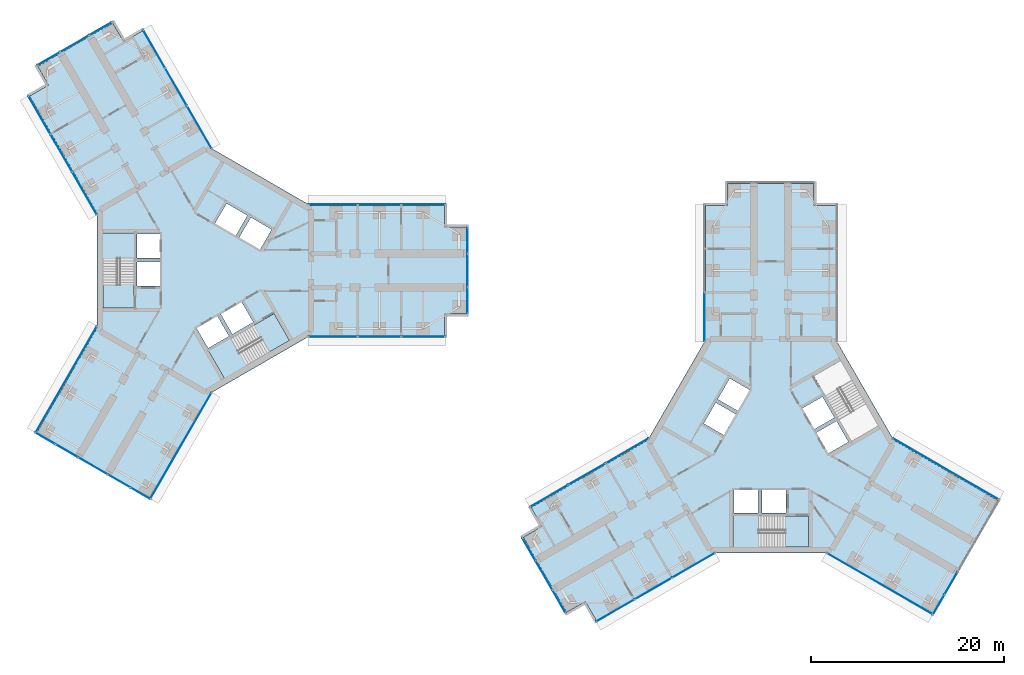
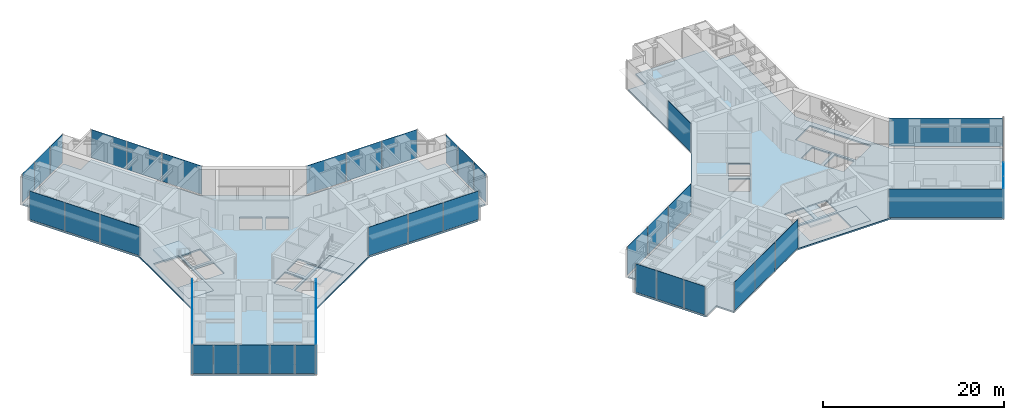
# One storey, part 13 of 21: 39 plates, 8 slabs, 19 elements without a shape of their own.
"""IFC4 building model written with IfcOpenShell, lengths in metres."""

from ifc_helpers import new_model, si_unit, direction, frame, origin, origin_2d, place, context, subcontext, project, spatial, polyline, rectangle, outline, extrude, material, layer, layer_set, type_object, element, aggregate, save


model = new_model("IFC4")

# Units and contexts
model_context = context("Model", 3, precision=1e-05, world=origin(), true_north=direction((0.0, 1.0)))
body_context = subcontext(model_context, "Body", "Model", "MODEL_VIEW")
ifc_project = project(units=[si_unit("LENGTHUNIT", "METRE"), si_unit("AREAUNIT", "SQUARE_METRE"), si_unit("VOLUMEUNIT", "CUBIC_METRE"), si_unit("PLANEANGLEUNIT", "RADIAN"), si_unit("MASSUNIT", "GRAM", prefix="KILO")], contexts=[model_context])

# Site, building, storey
site_placement = place(None, origin())
site = spatial("IfcSite", under=ifc_project, at=site_placement, CompositionType="ELEMENT")
building_placement = place(site_placement, origin())
building = spatial("IfcBuilding", under=site, at=building_placement, Name="Upepo Twin Towers", CompositionType="ELEMENT")
storey_placement = place(building_placement, frame((0.0, 0.0, 117.5)))
storey = spatial("IfcBuildingStorey", under=building, at=storey_placement, Name="L28", CompositionType="ELEMENT", Elevation=117.5)

# Curtain wall, plates
ifc_material_1 = material(Name="Aluminium and fritted glass", Category="aluminium")
curtain_wall_type = type_object("IfcCurtainWallType", Name="Tower curtain wall TW2, fritted glass", PredefinedType="NOTDEFINED", material=ifc_material_1)
curtain_wall_1_placement = place(storey_placement, origin())
curtain_wall_1 = element("IfcCurtainWall", 1, at=curtain_wall_1_placement, inside=storey, type_object=curtain_wall_type, Name="T1 L28 wing A flank L curtain wall", PredefinedType="NOTDEFINED")
ifc_material_2 = material(Name="Ceramic-fritted laminated glass", Category="glass")
ifc_layer_1 = layer(ifc_material_2, 0.031982421875)
ifc_layer_set_1 = layer_set([ifc_layer_1], Name="Fritted glass panel, 35 per cent dot frit, 32 mm double glazed")
plate_type_1 = type_object("IfcPlateType", Name="Fritted glass panel, 35 per cent dot frit, 32 mm double glazed", PredefinedType="CURTAIN_PANEL", material=ifc_layer_set_1)
plate_1_placement = place(storey_placement, frame((13.184814453125, 6.85009765625, 0.14990234375), z_axis=(0.0, 0.0, 1.0), x_axis=(1.0, 0.0, 0.0)))
plate_1 = element("IfcPlate", 2, at=plate_1_placement, type_object=plate_type_1, Name="T1 L28 wing A flank L curtain wall panel 1", PredefinedType="CURTAIN_PANEL", context=body_context, shape_type="SweptSolid", body=[
    extrude(rectangle(XDim=5.0654296875, YDim=0.031982421875, at=origin_2d()), origin(), (0.0, 0.0, 1.0), 3.85009765625),
])
plate_2_placement = place(storey_placement, frame((18.0, 6.85009765625, 0.14990234375), z_axis=(0.0, 0.0, 1.0), x_axis=(1.0, 0.0, 0.0)))
plate_2 = element("IfcPlate", 3, at=plate_2_placement, type_object=plate_type_1, Name="T1 L28 wing A flank L curtain wall panel 2", PredefinedType="CURTAIN_PANEL", context=body_context, shape_type="SweptSolid", body=[
    extrude(rectangle(XDim=4.43505859375, YDim=0.031982421875, at=origin_2d()), origin(), (0.0, 0.0, 1.0), 3.85009765625),
])
plate_3_placement = place(storey_placement, frame((22.53369140625, 6.85009765625, 0.14990234375), z_axis=(0.0, 0.0, 1.0), x_axis=(1.0, 0.0, 0.0)))
plate_3 = element("IfcPlate", 4, at=plate_3_placement, type_object=plate_type_1, Name="T1 L28 wing A flank L curtain wall panel 3", PredefinedType="CURTAIN_PANEL", context=body_context, shape_type="SweptSolid", body=[
    extrude(rectangle(XDim=4.50244140625, YDim=0.031982421875, at=origin_2d()), origin(), (0.0, 0.0, 1.0), 3.85009765625),
])
aggregate(curtain_wall_1, [plate_1, plate_2, plate_3])

curtain_wall_2_placement = place(storey_placement, origin())
curtain_wall_2 = element("IfcCurtainWall", 5, at=curtain_wall_2_placement, inside=storey, type_object=curtain_wall_type, Name="T1 L28 wing A flank R curtain wall", PredefinedType="NOTDEFINED")
plate_4_placement = place(storey_placement, frame((22.53369140625, -6.85009765625, 0.14990234375), z_axis=(0.0, 0.0, 1.0), x_axis=(-1.0, 0.0, 0.0)))
plate_4 = element("IfcPlate", 6, at=plate_4_placement, type_object=plate_type_1, Name="T1 L28 wing A flank R curtain wall panel 1", PredefinedType="CURTAIN_PANEL", context=body_context, shape_type="SweptSolid", body=[
    extrude(rectangle(XDim=4.50244140625, YDim=0.031982421875, at=origin_2d()), origin(), (0.0, 0.0, 1.0), 3.85009765625),
])
plate_5_placement = place(storey_placement, frame((18.0, -6.85009765625, 0.14990234375), z_axis=(0.0, 0.0, 1.0), x_axis=(-1.0, 0.0, 0.0)))
plate_5 = element("IfcPlate", 7, at=plate_5_placement, type_object=plate_type_1, Name="T1 L28 wing A flank R curtain wall panel 2", PredefinedType="CURTAIN_PANEL", context=body_context, shape_type="SweptSolid", body=[
    extrude(rectangle(XDim=4.43505859375, YDim=0.031982421875, at=origin_2d()), origin(), (0.0, 0.0, 1.0), 3.85009765625),
])
plate_6_placement = place(storey_placement, frame((13.184814453125, -6.85009765625, 0.14990234375), z_axis=(0.0, 0.0, 1.0), x_axis=(-1.0, 0.0, 0.0)))
plate_6 = element("IfcPlate", 8, at=plate_6_placement, type_object=plate_type_1, Name="T1 L28 wing A flank R curtain wall panel 3", PredefinedType="CURTAIN_PANEL", context=body_context, shape_type="SweptSolid", body=[
    extrude(rectangle(XDim=5.0654296875, YDim=0.031982421875, at=origin_2d()), origin(), (0.0, 0.0, 1.0), 3.85009765625),
])
aggregate(curtain_wall_2, [plate_4, plate_5, plate_6])

# Curtain wall, plate
curtain_wall_3_placement = place(storey_placement, origin())
curtain_wall_3 = element("IfcCurtainWall", 9, at=curtain_wall_3_placement, inside=storey, type_object=curtain_wall_type, Name="T1 L28 wing A nose curtain wall", PredefinedType="NOTDEFINED")
plate_7_placement = place(storey_placement, frame((27.10009765625, 0.0, 0.14990234375), z_axis=(0.0, 0.0, 1.0), x_axis=(0.0, 1.0, 0.0)))
plate_7 = element("IfcPlate", 10, at=plate_7_placement, type_object=plate_type_1, Name="T1 L28 wing A nose curtain wall panel 2", PredefinedType="CURTAIN_PANEL", context=body_context, shape_type="SweptSolid", body=[
    extrude(rectangle(XDim=3.43505859375, YDim=0.031982421875, at=origin_2d()), origin(), (0.0, 0.0, 1.0), 3.85009765625),
])

# Curtain wall, plates
curtain_wall_4_placement = place(storey_placement, origin())
curtain_wall_4 = element("IfcCurtainWall", 11, at=curtain_wall_4_placement, inside=storey, type_object=curtain_wall_type, Name="T1 L28 wing B flank L curtain wall", PredefinedType="NOTDEFINED")
plate_8_placement = place(storey_placement, frame((-12.524658203125, 7.993408203125, 0.14990234375), z_axis=(0.0, 0.0, 1.0), x_axis=(-0.500000010308, 0.866025397833, 0.0)))
plate_8 = element("IfcPlate", 12, at=plate_8_placement, type_object=plate_type_1, Name="T1 L28 wing B flank L curtain wall panel 1", PredefinedType="CURTAIN_PANEL", context=body_context, shape_type="SweptSolid", body=[
    extrude(rectangle(XDim=5.0654296875, YDim=0.031982421875, at=origin_2d()), origin(), (0.0, 0.0, 1.0), 3.85009765625),
])
plate_9_placement = place(storey_placement, frame((-14.932373046875, 12.16357421875, 0.14990234375), z_axis=(0.0, 0.0, 1.0), x_axis=(-0.500000010308, 0.866025397833, 0.0)))
plate_9 = element("IfcPlate", 13, at=plate_9_placement, type_object=plate_type_1, Name="T1 L28 wing B flank L curtain wall panel 2", PredefinedType="CURTAIN_PANEL", context=body_context, shape_type="SweptSolid", body=[
    extrude(rectangle(XDim=4.43505859375, YDim=0.031982421875, at=origin_2d()), origin(), (0.0, 0.0, 1.0), 3.85009765625),
])
plate_10_placement = place(storey_placement, frame((-17.19921875, 16.08984375, 0.14990234375), z_axis=(0.0, 0.0, 1.0), x_axis=(-0.500000010308, 0.866025397833, 0.0)))
plate_10 = element("IfcPlate", 14, at=plate_10_placement, type_object=plate_type_1, Name="T1 L28 wing B flank L curtain wall panel 3", PredefinedType="CURTAIN_PANEL", context=body_context, shape_type="SweptSolid", body=[
    extrude(rectangle(XDim=4.50244140625, YDim=0.031982421875, at=origin_2d()), origin(), (0.0, 0.0, 1.0), 3.85009765625),
])
aggregate(curtain_wall_4, [plate_8, plate_9, plate_10])

curtain_wall_5_placement = place(storey_placement, origin())
curtain_wall_5 = element("IfcCurtainWall", 15, at=curtain_wall_5_placement, inside=storey, type_object=curtain_wall_type, Name="T1 L28 wing B flank R curtain wall", PredefinedType="NOTDEFINED")
plate_11_placement = place(storey_placement, frame((-5.334716796875, 22.939697265625, 0.14990234375), z_axis=(0.0, 0.0, 1.0), x_axis=(0.500000010308, -0.866025397833, 0.0)))
plate_11 = element("IfcPlate", 16, at=plate_11_placement, type_object=plate_type_1, Name="T1 L28 wing B flank R curtain wall panel 1", PredefinedType="CURTAIN_PANEL", context=body_context, shape_type="SweptSolid", body=[
    extrude(rectangle(XDim=4.50244140625, YDim=0.031982421875, at=origin_2d()), origin(), (0.0, 0.0, 1.0), 3.85009765625),
])
plate_12_placement = place(storey_placement, frame((-3.067626953125, 19.013427734375, 0.14990234375), z_axis=(0.0, 0.0, 1.0), x_axis=(0.500000010308, -0.866025397833, 0.0)))
plate_12 = element("IfcPlate", 17, at=plate_12_placement, type_object=plate_type_1, Name="T1 L28 wing B flank R curtain wall panel 2", PredefinedType="CURTAIN_PANEL", context=body_context, shape_type="SweptSolid", body=[
    extrude(rectangle(XDim=4.43505859375, YDim=0.031982421875, at=origin_2d()), origin(), (0.0, 0.0, 1.0), 3.85009765625),
])
plate_13_placement = place(storey_placement, frame((-0.66015625, 14.84326171875, 0.14990234375), z_axis=(0.0, 0.0, 1.0), x_axis=(0.500000010308, -0.866025397833, 0.0)))
plate_13 = element("IfcPlate", 18, at=plate_13_placement, type_object=plate_type_1, Name="T1 L28 wing B flank R curtain wall panel 3", PredefinedType="CURTAIN_PANEL", context=body_context, shape_type="SweptSolid", body=[
    extrude(rectangle(XDim=5.0654296875, YDim=0.031982421875, at=origin_2d()), origin(), (0.0, 0.0, 1.0), 3.85009765625),
])
aggregate(curtain_wall_5, [plate_11, plate_12, plate_13])

# Curtain wall, plate
curtain_wall_6_placement = place(storey_placement, origin())
curtain_wall_6 = element("IfcCurtainWall", 19, at=curtain_wall_6_placement, inside=storey, type_object=curtain_wall_type, Name="T1 L28 wing B nose curtain wall", PredefinedType="NOTDEFINED")
plate_14_placement = place(storey_placement, frame((-13.550048828125, 23.46923828125, 0.14990234375), z_axis=(0.0, 0.0, 1.0), x_axis=(-0.866025386174, -0.500000030502, 0.0)))
plate_14 = element("IfcPlate", 20, at=plate_14_placement, type_object=plate_type_1, Name="T1 L28 wing B nose curtain wall panel 2", PredefinedType="CURTAIN_PANEL", context=body_context, shape_type="SweptSolid", body=[
    extrude(rectangle(XDim=3.43505859375, YDim=0.031982421875, at=origin_2d()), origin(), (0.0, 0.0, 1.0), 3.85009765625),
])

curtain_wall_7_placement = place(storey_placement, origin())
curtain_wall_7 = element("IfcCurtainWall", 21, at=curtain_wall_7_placement, inside=storey, type_object=curtain_wall_type, Name="T1 L28 wing C flank L curtain wall", PredefinedType="NOTDEFINED")
plate_15_placement = place(storey_placement, frame((-2.552001953125, -18.1201171875, 0.14990234375), z_axis=(0.0, 0.0, 1.0), x_axis=(-0.50000000792, -0.866025399212, 0.0)))
plate_15 = element("IfcPlate", 22, at=plate_15_placement, type_object=plate_type_1, Name="T1 L28 wing C flank L curtain wall panel 1", PredefinedType="CURTAIN_PANEL", context=body_context, shape_type="SweptSolid", body=[
    extrude(rectangle(XDim=12.6328125, YDim=0.031982421875, at=origin_2d()), origin(), (0.0, 0.0, 1.0), 3.85009765625),
])
aggregate(curtain_wall_7, [plate_15])

curtain_wall_8_placement = place(storey_placement, origin())
curtain_wall_8 = element("IfcCurtainWall", 23, at=curtain_wall_8_placement, inside=storey, type_object=curtain_wall_type, Name="T1 L28 wing C flank R curtain wall", PredefinedType="NOTDEFINED")
plate_16_placement = place(storey_placement, frame((-14.41650390625, -11.270263671875, 0.14990234375), z_axis=(0.0, 0.0, 1.0), x_axis=(0.50000000792, 0.866025399212, 0.0)))
plate_16 = element("IfcPlate", 24, at=plate_16_placement, type_object=plate_type_1, Name="T1 L28 wing C flank R curtain wall panel 1", PredefinedType="CURTAIN_PANEL", context=body_context, shape_type="SweptSolid", body=[
    extrude(rectangle(XDim=12.6328125, YDim=0.031982421875, at=origin_2d()), origin(), (0.0, 0.0, 1.0), 3.85009765625),
])
aggregate(curtain_wall_8, [plate_16])

# Curtain wall, plates
curtain_wall_9_placement = place(storey_placement, origin())
curtain_wall_9 = element("IfcCurtainWall", 25, at=curtain_wall_9_placement, inside=storey, type_object=curtain_wall_type, Name="T1 L28 wing C nose curtain wall", PredefinedType="NOTDEFINED")
plate_17_placement = place(storey_placement, frame((-14.38134765625, -18.6591796875, 0.14990234375), z_axis=(0.0, 0.0, 1.0), x_axis=(0.866025419745, -0.499999972355, 0.0)))
plate_17 = element("IfcPlate", 26, at=plate_17_placement, type_object=plate_type_1, Name="T1 L28 wing C nose curtain wall panel 2", PredefinedType="CURTAIN_PANEL", context=body_context, shape_type="SweptSolid", body=[
    extrude(rectangle(XDim=2.68505859375, YDim=0.031982421875, at=origin_2d()), origin(), (0.0, 0.0, 1.0), 3.85009765625),
])
plate_18_placement = place(storey_placement, frame((-11.675048828125, -20.2216796875, 0.14990234375), z_axis=(0.0, 0.0, 1.0), x_axis=(0.866025419745, -0.499999972355, 0.0)))
plate_18 = element("IfcPlate", 27, at=plate_18_placement, type_object=plate_type_1, Name="T1 L28 wing C nose curtain wall panel 3", PredefinedType="CURTAIN_PANEL", context=body_context, shape_type="SweptSolid", body=[
    extrude(rectangle(XDim=3.43505859375, YDim=0.031982421875, at=origin_2d()), origin(), (0.0, 0.0, 1.0), 3.85009765625),
])
plate_19_placement = place(storey_placement, frame((-8.96875, -21.7841796875, 0.14990234375), z_axis=(0.0, 0.0, 1.0), x_axis=(0.866025419745, -0.499999972355, 0.0)))
plate_19 = element("IfcPlate", 28, at=plate_19_placement, type_object=plate_type_1, Name="T1 L28 wing C nose curtain wall panel 4", PredefinedType="CURTAIN_PANEL", context=body_context, shape_type="SweptSolid", body=[
    extrude(rectangle(XDim=2.68505859375, YDim=0.031982421875, at=origin_2d()), origin(), (0.0, 0.0, 1.0), 3.85009765625),
])

# Curtain wall, plate
curtain_wall_10_placement = place(storey_placement, origin())
curtain_wall_10 = element("IfcCurtainWall", 29, at=curtain_wall_10_placement, inside=storey, type_object=curtain_wall_type, Name="T2 L28 wing A flank L curtain wall", PredefinedType="NOTDEFINED")
plate_20_placement = place(storey_placement, frame((51.64990234375, -4.815185546875, 0.14990234375), z_axis=(0.0, 0.0, 1.0), x_axis=(0.0, 1.0, 0.0)))
plate_20 = element("IfcPlate", 30, at=plate_20_placement, type_object=plate_type_1, Name="T2 L28 wing A flank L curtain wall panel 1", PredefinedType="CURTAIN_PANEL", context=body_context, shape_type="SweptSolid", body=[
    extrude(rectangle(XDim=5.0654296875, YDim=0.031982421875, at=origin_2d()), origin(), (0.0, 0.0, 1.0), 3.85009765625),
])
aggregate(curtain_wall_10, [plate_20])

# Curtain wall, plates
curtain_wall_11_placement = place(storey_placement, origin())
curtain_wall_11 = element("IfcCurtainWall", 31, at=curtain_wall_11_placement, inside=storey, type_object=curtain_wall_type, Name="T2 L28 wing B flank L curtain wall", PredefinedType="NOTDEFINED")
plate_21_placement = place(storey_placement, frame((50.506591796875, -30.524658203125, 0.14990234375), z_axis=(0.0, 0.0, 1.0), x_axis=(-0.866025397833, -0.500000010308, 0.0)))
plate_21 = element("IfcPlate", 32, at=plate_21_placement, type_object=plate_type_1, Name="T2 L28 wing B flank L curtain wall panel 1", PredefinedType="CURTAIN_PANEL", context=body_context, shape_type="SweptSolid", body=[
    extrude(rectangle(XDim=5.0654296875, YDim=0.031982421875, at=origin_2d()), origin(), (0.0, 0.0, 1.0), 3.85009765625),
])
plate_22_placement = place(storey_placement, frame((46.33642578125, -32.932373046875, 0.14990234375), z_axis=(0.0, 0.0, 1.0), x_axis=(-0.866025397833, -0.500000010308, 0.0)))
plate_22 = element("IfcPlate", 33, at=plate_22_placement, type_object=plate_type_1, Name="T2 L28 wing B flank L curtain wall panel 2", PredefinedType="CURTAIN_PANEL", context=body_context, shape_type="SweptSolid", body=[
    extrude(rectangle(XDim=4.43505859375, YDim=0.031982421875, at=origin_2d()), origin(), (0.0, 0.0, 1.0), 3.85009765625),
])
plate_23_placement = place(storey_placement, frame((42.41015625, -35.19921875, 0.14990234375), z_axis=(0.0, 0.0, 1.0), x_axis=(-0.866025397833, -0.500000010308, 0.0)))
plate_23 = element("IfcPlate", 34, at=plate_23_placement, type_object=plate_type_1, Name="T2 L28 wing B flank L curtain wall panel 3", PredefinedType="CURTAIN_PANEL", context=body_context, shape_type="SweptSolid", body=[
    extrude(rectangle(XDim=4.50244140625, YDim=0.031982421875, at=origin_2d()), origin(), (0.0, 0.0, 1.0), 3.85009765625),
])
aggregate(curtain_wall_11, [plate_21, plate_22, plate_23])

curtain_wall_12_placement = place(storey_placement, origin())
curtain_wall_12 = element("IfcCurtainWall", 35, at=curtain_wall_12_placement, inside=storey, type_object=curtain_wall_type, Name="T2 L28 wing B flank R curtain wall", PredefinedType="NOTDEFINED")
plate_24_placement = place(storey_placement, frame((35.560302734375, -23.334716796875, 0.14990234375), z_axis=(0.0, 0.0, 1.0), x_axis=(0.866025397833, 0.500000010308, 0.0)))
plate_24 = element("IfcPlate", 36, at=plate_24_placement, type_object=plate_type_1, Name="T2 L28 wing B flank R curtain wall panel 1", PredefinedType="CURTAIN_PANEL", context=body_context, shape_type="SweptSolid", body=[
    extrude(rectangle(XDim=4.50244140625, YDim=0.031982421875, at=origin_2d()), origin(), (0.0, 0.0, 1.0), 3.85009765625),
])
plate_25_placement = place(storey_placement, frame((39.486572265625, -21.067626953125, 0.14990234375), z_axis=(0.0, 0.0, 1.0), x_axis=(0.866025397833, 0.500000010308, 0.0)))
plate_25 = element("IfcPlate", 37, at=plate_25_placement, type_object=plate_type_1, Name="T2 L28 wing B flank R curtain wall panel 2", PredefinedType="CURTAIN_PANEL", context=body_context, shape_type="SweptSolid", body=[
    extrude(rectangle(XDim=4.43505859375, YDim=0.031982421875, at=origin_2d()), origin(), (0.0, 0.0, 1.0), 3.85009765625),
])
plate_26_placement = place(storey_placement, frame((43.65673828125, -18.66015625, 0.14990234375), z_axis=(0.0, 0.0, 1.0), x_axis=(0.866025397833, 0.500000010308, 0.0)))
plate_26 = element("IfcPlate", 38, at=plate_26_placement, type_object=plate_type_1, Name="T2 L28 wing B flank R curtain wall panel 3", PredefinedType="CURTAIN_PANEL", context=body_context, shape_type="SweptSolid", body=[
    extrude(rectangle(XDim=5.0654296875, YDim=0.031982421875, at=origin_2d()), origin(), (0.0, 0.0, 1.0), 3.85009765625),
])
aggregate(curtain_wall_12, [plate_24, plate_25, plate_26])

# Curtain wall, plate
curtain_wall_13_placement = place(storey_placement, origin())
curtain_wall_13 = element("IfcCurtainWall", 39, at=curtain_wall_13_placement, inside=storey, type_object=curtain_wall_type, Name="T2 L28 wing B nose curtain wall", PredefinedType="NOTDEFINED")
plate_27_placement = place(storey_placement, frame((35.03076171875, -31.550048828125, 0.14990234375), z_axis=(0.0, 0.0, 1.0), x_axis=(0.500000030502, -0.866025386174, 0.0)))
plate_27 = element("IfcPlate", 40, at=plate_27_placement, type_object=plate_type_1, Name="T2 L28 wing B nose curtain wall panel 2", PredefinedType="CURTAIN_PANEL", context=body_context, shape_type="SweptSolid", body=[
    extrude(rectangle(XDim=3.43505859375, YDim=0.031982421875, at=origin_2d()), origin(), (0.0, 0.0, 1.0), 3.85009765625),
])

curtain_wall_14_placement = place(storey_placement, origin())
curtain_wall_14 = element("IfcCurtainWall", 41, at=curtain_wall_14_placement, inside=storey, type_object=curtain_wall_type, Name="T2 L28 wing C flank L curtain wall", PredefinedType="NOTDEFINED")
plate_28_placement = place(storey_placement, frame((76.6201171875, -20.552001953125, 0.14990234375), z_axis=(0.0, 0.0, 1.0), x_axis=(0.866025399212, -0.50000000792, 0.0)))
plate_28 = element("IfcPlate", 42, at=plate_28_placement, type_object=plate_type_1, Name="T2 L28 wing C flank L curtain wall panel 1", PredefinedType="CURTAIN_PANEL", context=body_context, shape_type="SweptSolid", body=[
    extrude(rectangle(XDim=12.6328125, YDim=0.031982421875, at=origin_2d()), origin(), (0.0, 0.0, 1.0), 3.85009765625),
])
aggregate(curtain_wall_14, [plate_28])

curtain_wall_15_placement = place(storey_placement, origin())
curtain_wall_15 = element("IfcCurtainWall", 43, at=curtain_wall_15_placement, inside=storey, type_object=curtain_wall_type, Name="T2 L28 wing C flank R curtain wall", PredefinedType="NOTDEFINED")
plate_29_placement = place(storey_placement, frame((69.770263671875, -32.41650390625, 0.14990234375), z_axis=(0.0, 0.0, 1.0), x_axis=(-0.866025399212, 0.50000000792, 0.0)))
plate_29 = element("IfcPlate", 44, at=plate_29_placement, type_object=plate_type_1, Name="T2 L28 wing C flank R curtain wall panel 1", PredefinedType="CURTAIN_PANEL", context=body_context, shape_type="SweptSolid", body=[
    extrude(rectangle(XDim=12.6328125, YDim=0.031982421875, at=origin_2d()), origin(), (0.0, 0.0, 1.0), 3.85009765625),
])
aggregate(curtain_wall_15, [plate_29])

curtain_wall_16_placement = place(storey_placement, origin())
curtain_wall_16 = element("IfcCurtainWall", 45, at=curtain_wall_16_placement, inside=storey, type_object=curtain_wall_type, Name="T2 L28 wing C nose curtain wall", PredefinedType="NOTDEFINED")
plate_30_placement = place(storey_placement, frame((77.1591796875, -32.38134765625, 0.14990234375), z_axis=(0.0, 0.0, 1.0), x_axis=(0.499999972355, 0.866025419745, 0.0)))
plate_30 = element("IfcPlate", 46, at=plate_30_placement, type_object=plate_type_1, Name="T2 L28 wing C nose curtain wall panel 2", PredefinedType="CURTAIN_PANEL", context=body_context, shape_type="SweptSolid", body=[
    extrude(rectangle(XDim=2.68505859375, YDim=0.031982421875, at=origin_2d()), origin(), (0.0, 0.0, 1.0), 3.85009765625),
])

# Plate
ifc_material_3 = material(Name="Clear laminated glass in opening sash", Category="glass")
ifc_layer_2 = layer(ifc_material_3, 0.031982421875)
ifc_layer_set_2 = layer_set([ifc_layer_2], Name="Operable glass panel, 32 mm double glazed")
plate_type_2 = type_object("IfcPlateType", Name="Operable glass panel, 32 mm double glazed", PredefinedType="CURTAIN_PANEL", material=ifc_layer_set_2)
plate_31_placement = place(storey_placement, frame((27.10009765625, -3.108642578125, 0.14990234375), z_axis=(0.0, 0.0, 1.0), x_axis=(0.0, 1.0, 0.0)))
plate_31 = element("IfcPlate", 47, at=plate_31_placement, type_object=plate_type_2, Name="T1 L28 wing A nose curtain wall panel 1", PredefinedType="CURTAIN_PANEL", context=body_context, shape_type="SweptSolid", body=[
    extrude(rectangle(XDim=2.652587890625, YDim=0.031982421875, at=origin_2d()), origin(), (0.0, 0.0, 1.0), 3.85009765625),
])

plate_32_placement = place(storey_placement, frame((27.10009765625, 3.108642578125, 0.14990234375), z_axis=(0.0, 0.0, 1.0), x_axis=(0.0, 1.0, 0.0)))
plate_32 = element("IfcPlate", 48, at=plate_32_placement, type_object=plate_type_2, Name="T1 L28 wing A nose curtain wall panel 3", PredefinedType="CURTAIN_PANEL", context=body_context, shape_type="SweptSolid", body=[
    extrude(rectangle(XDim=2.652587890625, YDim=0.031982421875, at=origin_2d()), origin(), (0.0, 0.0, 1.0), 3.85009765625),
])

aggregate(curtain_wall_3, [plate_31, plate_7, plate_32])

plate_33_placement = place(storey_placement, frame((-10.857666015625, 25.023681640625, 0.14990234375), z_axis=(0.0, 0.0, 1.0), x_axis=(-0.866025386174, -0.500000030502, 0.0)))
plate_33 = element("IfcPlate", 49, at=plate_33_placement, type_object=plate_type_2, Name="T1 L28 wing B nose curtain wall panel 1", PredefinedType="CURTAIN_PANEL", context=body_context, shape_type="SweptSolid", body=[
    extrude(rectangle(XDim=2.652587890625, YDim=0.031982421875, at=origin_2d()), origin(), (0.0, 0.0, 1.0), 3.85009765625),
])

plate_34_placement = place(storey_placement, frame((-16.2421875, 21.914794921875, 0.14990234375), z_axis=(0.0, 0.0, 1.0), x_axis=(-0.866025386174, -0.500000030502, 0.0)))
plate_34 = element("IfcPlate", 50, at=plate_34_placement, type_object=plate_type_2, Name="T1 L28 wing B nose curtain wall panel 3", PredefinedType="CURTAIN_PANEL", context=body_context, shape_type="SweptSolid", body=[
    extrude(rectangle(XDim=2.652587890625, YDim=0.031982421875, at=origin_2d()), origin(), (0.0, 0.0, 1.0), 3.85009765625),
])

aggregate(curtain_wall_6, [plate_33, plate_14, plate_34])

plate_35_placement = place(storey_placement, frame((-16.618896484375, -17.367431640625, 0.14990234375), z_axis=(0.0, 0.0, 1.0), x_axis=(0.866025419745, -0.499999972355, 0.0)))
plate_35 = element("IfcPlate", 51, at=plate_35_placement, type_object=plate_type_2, Name="T1 L28 wing C nose curtain wall panel 1", PredefinedType="CURTAIN_PANEL", context=body_context, shape_type="SweptSolid", body=[
    extrude(rectangle(XDim=2.3525390625, YDim=0.031982421875, at=origin_2d()), origin(), (0.0, 0.0, 1.0), 3.85009765625),
])

plate_36_placement = place(storey_placement, frame((-6.73095703125, -23.076171875, 0.14990234375), z_axis=(0.0, 0.0, 1.0), x_axis=(0.866025419745, -0.499999972355, 0.0)))
plate_36 = element("IfcPlate", 52, at=plate_36_placement, type_object=plate_type_2, Name="T1 L28 wing C nose curtain wall panel 5", PredefinedType="CURTAIN_PANEL", context=body_context, shape_type="SweptSolid", body=[
    extrude(rectangle(XDim=2.3525390625, YDim=0.031982421875, at=origin_2d()), origin(), (0.0, 0.0, 1.0), 3.85009765625),
])

aggregate(curtain_wall_9, [plate_35, plate_17, plate_18, plate_19, plate_36])

plate_37_placement = place(storey_placement, frame((33.476318359375, -28.857666015625, 0.14990234375), z_axis=(0.0, 0.0, 1.0), x_axis=(0.500000030502, -0.866025386174, 0.0)))
plate_37 = element("IfcPlate", 53, at=plate_37_placement, type_object=plate_type_2, Name="T2 L28 wing B nose curtain wall panel 1", PredefinedType="CURTAIN_PANEL", context=body_context, shape_type="SweptSolid", body=[
    extrude(rectangle(XDim=2.652587890625, YDim=0.031982421875, at=origin_2d()), origin(), (0.0, 0.0, 1.0), 3.85009765625),
])

plate_38_placement = place(storey_placement, frame((36.585205078125, -34.2421875, 0.14990234375), z_axis=(0.0, 0.0, 1.0), x_axis=(0.500000030502, -0.866025386174, 0.0)))
plate_38 = element("IfcPlate", 54, at=plate_38_placement, type_object=plate_type_2, Name="T2 L28 wing B nose curtain wall panel 3", PredefinedType="CURTAIN_PANEL", context=body_context, shape_type="SweptSolid", body=[
    extrude(rectangle(XDim=2.652587890625, YDim=0.031982421875, at=origin_2d()), origin(), (0.0, 0.0, 1.0), 3.85009765625),
])

aggregate(curtain_wall_13, [plate_37, plate_27, plate_38])

plate_39_placement = place(storey_placement, frame((75.867431640625, -34.618896484375, 0.14990234375), z_axis=(0.0, 0.0, 1.0), x_axis=(0.499999972355, 0.866025419745, 0.0)))
plate_39 = element("IfcPlate", 55, at=plate_39_placement, type_object=plate_type_2, Name="T2 L28 wing C nose curtain wall panel 1", PredefinedType="CURTAIN_PANEL", context=body_context, shape_type="SweptSolid", body=[
    extrude(rectangle(XDim=2.3525390625, YDim=0.031982421875, at=origin_2d()), origin(), (0.0, 0.0, 1.0), 3.85009765625),
])

aggregate(curtain_wall_16, [plate_39, plate_30])

# Stair, slabs
ifc_material_4 = material(Name="Concrete C40/50", Category="concrete")
stair_type = type_object("IfcStairType", Name="Core stair, two flights", PredefinedType="HALF_TURN_STAIR", material=ifc_material_4)
stair_1_placement = place(storey_placement, origin())
stair_1 = element("IfcStair", 56, at=stair_1_placement, inside=storey, type_object=stair_type, Name="T1 stair S1 L28", PredefinedType="HALF_TURN_STAIR")
ifc_material_5 = material(Name="Concrete C40/50", Category="concrete")
ifc_layer_3 = layer(ifc_material_5, 0.199951171875)
ifc_layer_set_3 = layer_set([ifc_layer_3], Name="Concrete C40/50")
slab_type_1 = type_object("IfcSlabType", Name="Stair landing 200 RC", PredefinedType="LANDING", material=ifc_layer_set_3)
slab_1_placement = place(storey_placement, frame((0.0, 0.0, -0.199951171875)))
slab_1 = element("IfcSlab", 57, at=slab_1_placement, type_object=slab_type_1, Name="Stair S1 landing 1", PredefinedType="LANDING", context=body_context, shape_type="SweptSolid", body=[
    extrude(outline(polyline([(-7.39990234375, -1.419921875), (-10.6083984375, -1.419921875), (-10.6083984375, -3.89990234375), (-7.39990234375, -3.89990234375), (-7.39990234375, -1.419921875)])), origin(), (0.0, 0.0, 1.0), 0.199951171875),
])
slab_2_placement = place(storey_placement, frame((0.0, 0.0, 1.800048828125)))
slab_2 = element("IfcSlab", 58, at=slab_2_placement, type_object=slab_type_1, Name="Stair S1 landing 2", PredefinedType="LANDING", context=body_context, shape_type="SweptSolid", body=[
    extrude(outline(polyline([(-7.300048828125, 3.89990234375), (-10.708251953125, 3.89990234375), (-10.708251953125, 1.179931640625), (-7.300048828125, 1.179931640625), (-7.300048828125, 3.89990234375)])), origin(), (0.0, 0.0, 1.0), 0.199951171875),
])
aggregate(stair_1, [slab_1, slab_2])

stair_2_placement = place(storey_placement, origin())
stair_2 = element("IfcStair", 59, at=stair_2_placement, inside=storey, type_object=stair_type, Name="T1 stair S2 L28", PredefinedType="HALF_TURN_STAIR")
slab_3_placement = place(storey_placement, frame((0.0, 0.0, -0.199951171875)))
slab_3 = element("IfcSlab", 60, at=slab_3_placement, type_object=slab_type_1, Name="Stair S2 landing 1", PredefinedType="LANDING", context=body_context, shape_type="SweptSolid", body=[
    extrude(outline(polyline([(4.9296875, -5.698486328125), (6.533935546875, -8.47705078125), (8.681640625, -7.237060546875), (7.077392578125, -4.45849609375), (4.9296875, -5.698486328125)])), origin(), (0.0, 0.0, 1.0), 0.199951171875),
])
slab_4_placement = place(storey_placement, frame((0.0, 0.0, 1.800048828125)))
slab_4 = element("IfcSlab", 61, at=slab_4_placement, type_object=slab_type_1, Name="Stair S2 landing 2", PredefinedType="LANDING", context=body_context, shape_type="SweptSolid", body=[
    extrude(outline(polyline([(0.2724609375, -8.27197265625), (1.9765625, -11.2236328125), (4.332275390625, -9.86376953125), (2.628173828125, -6.911865234375), (0.2724609375, -8.27197265625)])), origin(), (0.0, 0.0, 1.0), 0.199951171875),
])
aggregate(stair_2, [slab_3, slab_4])

stair_3_placement = place(storey_placement, origin())
stair_3 = element("IfcStair", 62, at=stair_3_placement, inside=storey, type_object=stair_type, Name="T2 stair S1 L28", PredefinedType="HALF_TURN_STAIR")
slab_5_placement = place(storey_placement, frame((0.0, 0.0, -0.199951171875)))
slab_5 = element("IfcSlab", 63, at=slab_5_placement, type_object=slab_type_1, Name="Stair S1 landing 1", PredefinedType="LANDING", context=body_context, shape_type="SweptSolid", body=[
    extrude(outline(polyline([(59.919921875, -25.39990234375), (59.919921875, -28.6083984375), (62.39990234375, -28.6083984375), (62.39990234375, -25.39990234375), (59.919921875, -25.39990234375)])), origin(), (0.0, 0.0, 1.0), 0.199951171875),
])
slab_6_placement = place(storey_placement, frame((0.0, 0.0, 1.800048828125)))
slab_6 = element("IfcSlab", 64, at=slab_6_placement, type_object=slab_type_1, Name="Stair S1 landing 2", PredefinedType="LANDING", context=body_context, shape_type="SweptSolid", body=[
    extrude(outline(polyline([(54.60009765625, -25.300048828125), (54.60009765625, -28.708251953125), (57.320068359375, -28.708251953125), (57.320068359375, -25.300048828125), (54.60009765625, -25.300048828125)])), origin(), (0.0, 0.0, 1.0), 0.199951171875),
])
aggregate(stair_3, [slab_5, slab_6])

# Slabs
ifc_material_6 = material(Name="Concrete C40/50", Category="concrete")
ifc_layer_4 = layer(ifc_material_6, 0.199951171875)
ifc_layer_set_4 = layer_set([ifc_layer_4], Name="Concrete C40/50")
slab_type_2 = type_object("IfcSlabType", Name="Tower floor slab 200 RC", PredefinedType="FLOOR", material=ifc_layer_set_4)
slab_7_placement = place(storey_placement, frame((0.0, 0.0, -0.199951171875)))
element("IfcSlab", 65, at=slab_7_placement, inside=storey, type_object=slab_type_2, Name="T1 L28 floor slab", PredefinedType="FLOOR", context=body_context, shape_type="SweptSolid", body=[
    extrude(outline(polyline([(-17.470703125, -16.760009765625), (-11.25830078125, -6.0), (-11.25830078125, 6.0), (-18.220703125, 18.05908203125), (-16.272216796875, 19.18408203125), (-17.397216796875, 21.132568359375), (-9.602783203125, 25.632568359375), (-8.477783203125, 23.68408203125), (-6.529296875, 24.80908203125), (0.43310546875, 12.75), (10.825439453125, 6.75), (24.75, 6.75), (24.75, 4.5), (27.0, 4.5), (27.0, -4.5), (24.75, -4.5), (24.75, -6.75), (10.825439453125, -6.75), (0.43310546875, -12.75), (-5.779296875, -23.510009765625), (-17.470703125, -16.760009765625)]), holes=[polyline([(5.640869140625, 2.17041015625), (6.8408203125, 4.248779296875), (4.67578125, 5.498779296875), (3.475830078125, 3.42041015625), (5.640869140625, 2.17041015625)]), polyline([(3.12939453125, 3.620361328125), (4.329345703125, 5.69873046875), (2.164306640625, 6.94873046875), (0.96435546875, 4.870361328125), (3.12939453125, 3.620361328125)]), polyline([(-4.699951171875, 3.800048828125), (-7.10009765625, 3.800048828125), (-7.10009765625, 1.300048828125), (-4.699951171875, 1.300048828125), (-4.699951171875, 3.800048828125)]), polyline([(-4.699951171875, 0.89990234375), (-7.10009765625, 0.89990234375), (-7.10009765625, -1.60009765625), (-4.699951171875, -1.60009765625), (-4.699951171875, 0.89990234375)]), polyline([(-7.39990234375, 3.89990234375), (-10.6083984375, 3.89990234375), (-10.6083984375, -3.89990234375), (-7.39990234375, -3.89990234375), (-7.39990234375, 3.89990234375)]), polyline([(-0.94091796875, -5.97021484375), (0.259033203125, -8.048828125), (2.424072265625, -6.798828125), (1.22412109375, -4.72021484375), (-0.94091796875, -5.97021484375)]), polyline([(1.570556640625, -4.520263671875), (2.7705078125, -6.598876953125), (4.935546875, -5.348876953125), (3.735595703125, -3.270263671875), (1.570556640625, -4.520263671875)]), polyline([(0.322509765625, -8.358642578125), (1.9267578125, -11.136962890625), (8.681640625, -7.237060546875), (7.077392578125, -4.45849609375), (0.322509765625, -8.358642578125)])]), origin(), (0.0, 0.0, 1.0), 0.199951171875),
])
slab_8_placement = place(storey_placement, frame((0.0, 0.0, -0.199951171875)))
element("IfcSlab", 66, at=slab_8_placement, inside=storey, type_object=slab_type_2, Name="T2 L28 floor slab", PredefinedType="FLOOR", context=body_context, shape_type="SweptSolid", body=[
    extrude(outline(polyline([(75.260009765625, -35.470703125), (64.5, -29.25830078125), (52.5, -29.25830078125), (40.44091796875, -36.220703125), (39.31591796875, -34.272216796875), (37.367431640625, -35.397216796875), (32.867431640625, -27.602783203125), (34.81591796875, -26.477783203125), (33.69091796875, -24.529296875), (45.75, -17.56689453125), (51.75, -7.174560546875), (51.75, 6.75), (54.0, 6.75), (54.0, 9.0), (63.0, 9.0), (63.0, 6.75), (65.25, 6.75), (65.25, -7.174560546875), (71.25, -17.56689453125), (82.010009765625, -23.779296875), (75.260009765625, -35.470703125)]), holes=[polyline([(56.32958984375, -12.359130859375), (54.251220703125, -11.1591796875), (53.001220703125, -13.32421875), (55.07958984375, -14.524169921875), (56.32958984375, -12.359130859375)]), polyline([(54.879638671875, -14.87060546875), (52.80126953125, -13.670654296875), (51.55126953125, -15.835693359375), (53.629638671875, -17.03564453125), (54.879638671875, -14.87060546875)]), polyline([(54.699951171875, -22.699951171875), (54.699951171875, -25.10009765625), (57.199951171875, -25.10009765625), (57.199951171875, -22.699951171875), (54.699951171875, -22.699951171875)]), polyline([(57.60009765625, -22.699951171875), (57.60009765625, -25.10009765625), (60.10009765625, -25.10009765625), (60.10009765625, -22.699951171875), (57.60009765625, -22.699951171875)]), polyline([(54.60009765625, -25.39990234375), (54.60009765625, -28.6083984375), (62.39990234375, -28.6083984375), (62.39990234375, -25.39990234375), (54.60009765625, -25.39990234375)]), polyline([(64.47021484375, -18.94091796875), (66.548828125, -17.740966796875), (65.298828125, -15.575927734375), (63.22021484375, -16.77587890625), (64.47021484375, -18.94091796875)]), polyline([(63.020263671875, -16.429443359375), (65.098876953125, -15.2294921875), (63.848876953125, -13.064453125), (61.770263671875, -14.264404296875), (63.020263671875, -16.429443359375)]), polyline([(66.858642578125, -17.677490234375), (69.636962890625, -16.0732421875), (65.737060546875, -9.318359375), (62.95849609375, -10.922607421875), (66.858642578125, -17.677490234375)])]), origin(), (0.0, 0.0, 1.0), 0.199951171875),
])

save(model, "model.ifc")
